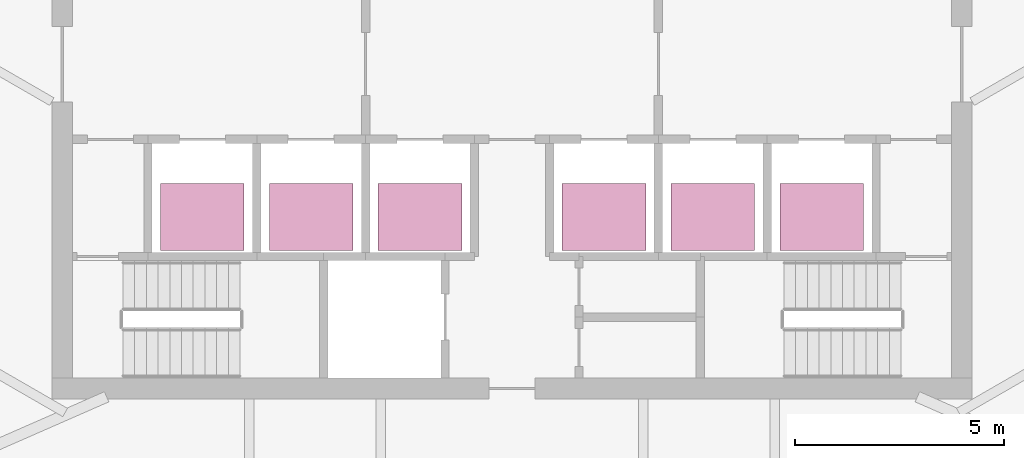
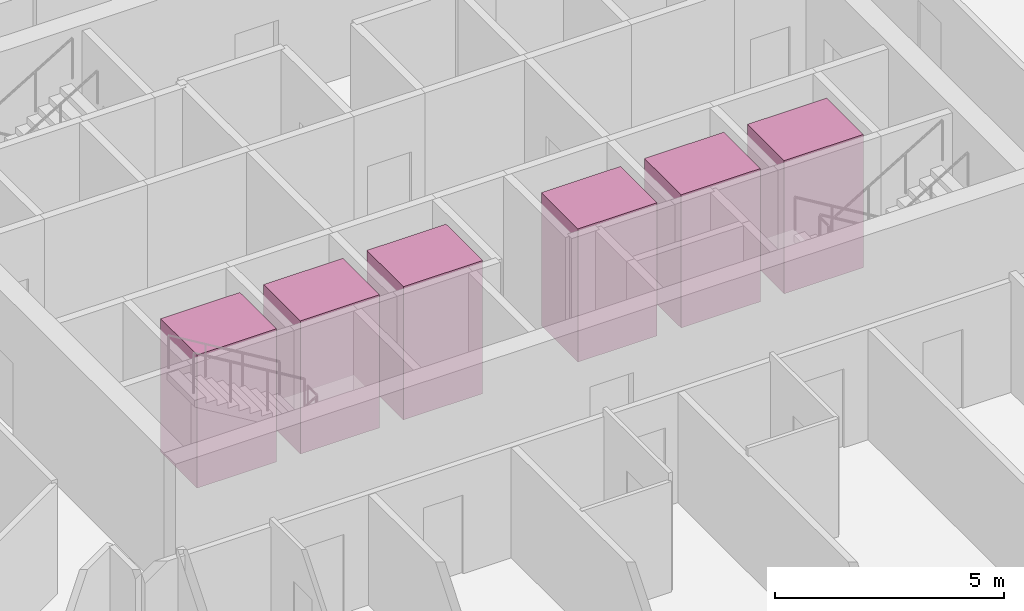
# One storey, part 22 of 22: 6 transport elements.
"""IFC4 building model written with IfcOpenShell, lengths in metres."""

from ifc_helpers import new_model, si_unit, direction, frame, origin, origin_2d, place, context, subcontext, project, spatial, rectangle, extrude, material, type_object, element, save


model = new_model("IFC4")

# Units and contexts
model_context = context("Model", 3, precision=1e-05, world=origin(), true_north=direction((0.0, 1.0)))
body_context = subcontext(model_context, "Body", "Model", "MODEL_VIEW")
ifc_project = project(units=[si_unit("LENGTHUNIT", "METRE"), si_unit("AREAUNIT", "SQUARE_METRE"), si_unit("VOLUMEUNIT", "CUBIC_METRE"), si_unit("PLANEANGLEUNIT", "RADIAN"), si_unit("MASSUNIT", "GRAM", prefix="KILO")], contexts=[model_context])

# Site, building, storey
site_placement = place(None, origin())
site = spatial("IfcSite", under=ifc_project, at=site_placement, CompositionType="ELEMENT")
building_placement = place(site_placement, origin())
building = spatial("IfcBuilding", under=site, at=building_placement, Name="Sierra Prisma Convention Tower", CompositionType="ELEMENT")
storey_placement = place(building_placement, frame((0.0, 0.0, 66.5)))
storey = spatial("IfcBuildingStorey", under=building, at=storey_placement, Name="L12", CompositionType="ELEMENT", Elevation=66.5)

# Transport elements
ifc_material = material(Name="Stainless steel", Category="steel")
transport_element_type = type_object("IfcTransportElementType", Name="Lift car hotel 2000x1600 1600 kg", PredefinedType="ELEVATOR", material=ifc_material)
for number, where, z_axis, x_axis, name in (
    (1, (-7.39990234375, -3.64990234375, 0.0), (0.0, 0.0, 1.0), (1.0, 0.0, 0.0), "Lift HT1"),
    (2, (-4.800048828125, -3.64990234375, 0.0), (0.0, 0.0, 1.0), (1.0, 0.0, 0.0), "Lift HT2"),
    (3, (-2.199951171875, -3.64990234375, 0.0), (0.0, 0.0, 1.0), (1.0, 0.0, 0.0), "Lift HT3"),
    (4, (2.199951171875, -3.64990234375, 0.0), (0.0, 0.0, 1.0), (1.0, 0.0, 0.0), "Lift HT4"),
    (5, (4.800048828125, -3.64990234375, 0.0), (0.0, 0.0, 1.0), (1.0, 0.0, 0.0), "Lift HT5"),
    (6, (7.39990234375, -3.64990234375, 0.0), (0.0, 0.0, 1.0), (1.0, 0.0, 0.0), "Lift HT6"),
):
    element("IfcTransportElement", number, at=place(storey_placement, frame(where, z_axis=z_axis, x_axis=x_axis)), inside=storey, type_object=transport_element_type, Name=name, PredefinedType="ELEVATOR", context=body_context, shape_type="SweptSolid", body=[
        extrude(rectangle(XDim=2.0, YDim=1.60009765625, at=origin_2d()), origin(), (0.0, 0.0, 1.0), 3.550048828125),
    ])

save(model, "model.ifc")
